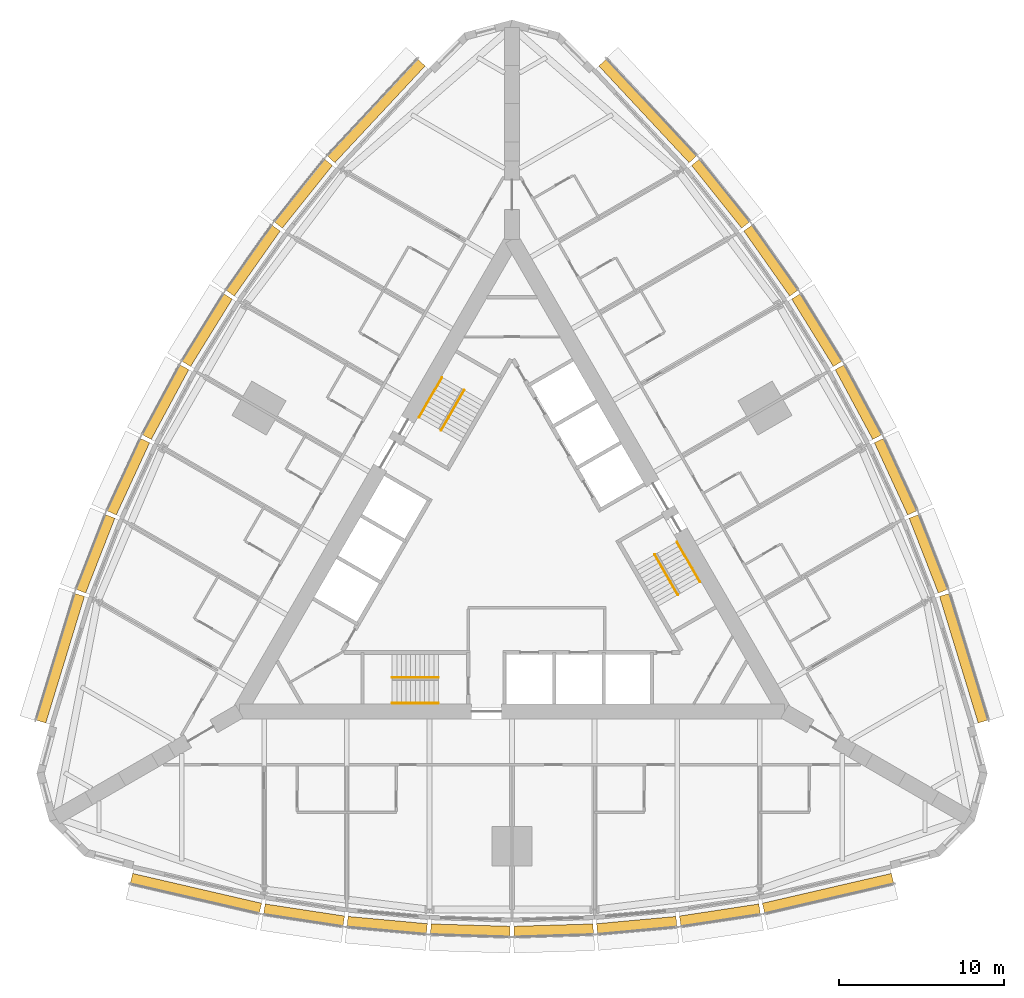
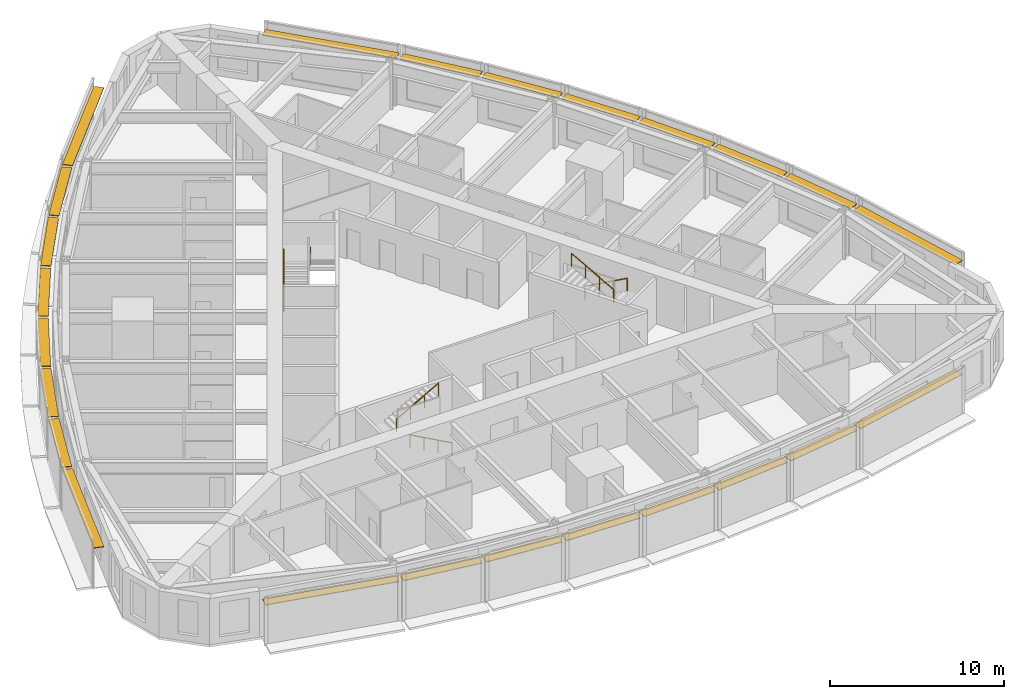
# One storey, part 14 of 14: 24 shading devices, 6 railings.
"""IFC4 building model written with IfcOpenShell, lengths in metres."""

from ifc_helpers import new_model, si_unit, direction, frame, origin, origin_2d, place, context, subcontext, project, spatial, rectangle, circle, extrude, material, type_object, element, save


model = new_model("IFC4")

# Units and contexts
model_context = context("Model", 3, precision=1e-05, world=origin(), true_north=direction((0.0, 1.0)))
body_context = subcontext(model_context, "Body", "Model", "MODEL_VIEW")
ifc_project = project(units=[si_unit("LENGTHUNIT", "METRE"), si_unit("AREAUNIT", "SQUARE_METRE"), si_unit("VOLUMEUNIT", "CUBIC_METRE"), si_unit("PLANEANGLEUNIT", "RADIAN"), si_unit("MASSUNIT", "GRAM", prefix="KILO")], contexts=[model_context])

# Site, building, storey
site_placement = place(None, origin())
site = spatial("IfcSite", under=ifc_project, at=site_placement, CompositionType="ELEMENT")
building_placement = place(site_placement, origin())
building = spatial("IfcBuilding", under=site, at=building_placement, Name="Trikona Tower", CompositionType="ELEMENT")
storey_placement = place(building_placement, frame((0.0, 0.0, 48.89990234375)))
storey = spatial("IfcBuildingStorey", under=building, at=storey_placement, Name="L11", CompositionType="ELEMENT", Elevation=48.89990234375)

# Shading devices
ifc_material_1 = material(Name="Aluminium louvre blade, pale anodised", Category="aluminium")
shading_device_type = type_object("IfcShadingDeviceType", Name="Cavity louvre 600", PredefinedType="USERDEFINED", material=ifc_material_1)
shading_device_1_placement = place(storey_placement, frame((-19.126220703125, -20.5234375, 2.77490234375), z_axis=(0.0, 0.0, 1.0), x_axis=(0.974277718622, -0.225350675607, 0.0)))
element("IfcShadingDevice", 1, at=shading_device_1_placement, inside=storey, type_object=shading_device_type, Name="Cavity louvre L11-00", ObjectType="LOUVRE", PredefinedType="USERDEFINED", context=body_context, shape_type="SweptSolid", body=[
    extrude(rectangle(XDim=8.01123046875, YDim=0.60009765625, at=origin_2d()), origin(), (0.0, 0.0, 1.0), 0.050048828125),
])
shading_device_2_placement = place(storey_placement, frame((-12.584228515625, -21.837158203125, 2.77490234375), z_axis=(0.0, 0.0, 1.0), x_axis=(0.988617896768, -0.150448177754, 0.0)))
element("IfcShadingDevice", 2, at=shading_device_2_placement, inside=storey, type_object=shading_device_type, Name="Cavity louvre L11-01", ObjectType="LOUVRE", PredefinedType="USERDEFINED", context=body_context, shape_type="SweptSolid", body=[
    extrude(rectangle(XDim=4.857666015625, YDim=0.60009765625, at=origin_2d()), origin(), (0.0, 0.0, 1.0), 0.050048828125),
])
shading_device_3_placement = place(storey_placement, frame((-7.55078125, -22.44970703125, 2.77490234375), z_axis=(0.0, 0.0, 1.0), x_axis=(0.995858098326, -0.090921108655, 0.0)))
element("IfcShadingDevice", 3, at=shading_device_3_placement, inside=storey, type_object=shading_device_type, Name="Cavity louvre L11-02", ObjectType="LOUVRE", PredefinedType="USERDEFINED", context=body_context, shape_type="SweptSolid", body=[
    extrude(rectangle(XDim=4.82080078125, YDim=0.60009765625, at=origin_2d()), origin(), (0.0, 0.0, 1.0), 0.050048828125),
])
for number, where, z_axis, x_axis, name in (
    (4, (-2.51708984375, -22.756103515625, 2.77490234375), (0.0, 0.0, 1.0), (0.999537048889, -0.030425119525, 0.0), "Cavity louvre L11-03"),
    (5, (2.51708984375, -22.756103515625, 2.77490234375), (0.0, 0.0, 1.0), (0.999537048889, 0.030425119525, 0.0), "Cavity louvre L11-04"),
):
    element("IfcShadingDevice", number, at=place(storey_placement, frame(where, z_axis=z_axis, x_axis=x_axis)), inside=storey, type_object=shading_device_type, Name=name, ObjectType="LOUVRE", PredefinedType="USERDEFINED", context=body_context, shape_type="SweptSolid", body=[
        extrude(rectangle(XDim=4.80224609375, YDim=0.60009765625, at=origin_2d()), origin(), (0.0, 0.0, 1.0), 0.050048828125),
    ])
shading_device_4_placement = place(storey_placement, frame((7.55078125, -22.44970703125, 2.77490234375), z_axis=(0.0, 0.0, 1.0), x_axis=(0.995858098326, 0.090921108655, 0.0)))
element("IfcShadingDevice", 6, at=shading_device_4_placement, inside=storey, type_object=shading_device_type, Name="Cavity louvre L11-05", ObjectType="LOUVRE", PredefinedType="USERDEFINED", context=body_context, shape_type="SweptSolid", body=[
    extrude(rectangle(XDim=4.82080078125, YDim=0.60009765625, at=origin_2d()), origin(), (0.0, 0.0, 1.0), 0.050048828125),
])
shading_device_5_placement = place(storey_placement, frame((12.584228515625, -21.837158203125, 2.77490234375), z_axis=(0.0, 0.0, 1.0), x_axis=(0.988617896768, 0.150448177754, 0.0)))
element("IfcShadingDevice", 7, at=shading_device_5_placement, inside=storey, type_object=shading_device_type, Name="Cavity louvre L11-06", ObjectType="LOUVRE", PredefinedType="USERDEFINED", context=body_context, shape_type="SweptSolid", body=[
    extrude(rectangle(XDim=4.857666015625, YDim=0.60009765625, at=origin_2d()), origin(), (0.0, 0.0, 1.0), 0.050048828125),
])
for number, where, z_axis, x_axis, name in (
    (8, (19.126220703125, -20.5234375, 2.77490234375), (0.0, 0.0, 1.0), (0.974277718622, 0.225350675607, 0.0), "Cavity louvre L11-07"),
    (9, (27.3369140625, -6.302001953125, 2.77490234375), (0.0, 0.0, 1.0), (-0.291979449475, 0.956424592471, 0.0), "Cavity louvre L11-12"),
):
    element("IfcShadingDevice", number, at=place(storey_placement, frame(where, z_axis=z_axis, x_axis=x_axis)), inside=storey, type_object=shading_device_type, Name=name, ObjectType="LOUVRE", PredefinedType="USERDEFINED", context=body_context, shape_type="SweptSolid", body=[
        extrude(rectangle(XDim=8.01123046875, YDim=0.60009765625, at=origin_2d()), origin(), (0.0, 0.0, 1.0), 0.050048828125),
    ])
shading_device_6_placement = place(storey_placement, frame((25.20361328125, 0.020263671875, 2.77490234375), z_axis=(0.0, 0.0, 1.0), x_axis=(-0.364008876551, 0.931395478726, 0.0)))
element("IfcShadingDevice", 10, at=shading_device_6_placement, inside=storey, type_object=shading_device_type, Name="Cavity louvre L11-13", ObjectType="LOUVRE", PredefinedType="USERDEFINED", context=body_context, shape_type="SweptSolid", body=[
    extrude(rectangle(XDim=4.857666015625, YDim=0.60009765625, at=origin_2d()), origin(), (0.0, 0.0, 1.0), 0.050048828125),
])
shading_device_7_placement = place(storey_placement, frame((23.217529296875, 4.685546875, 2.77490234375), z_axis=(0.0, 0.0, 1.0), x_axis=(-0.41919381307, 0.907896771161, 0.0)))
element("IfcShadingDevice", 11, at=shading_device_7_placement, inside=storey, type_object=shading_device_type, Name="Cavity louvre L11-14", ObjectType="LOUVRE", PredefinedType="USERDEFINED", context=body_context, shape_type="SweptSolid", body=[
    extrude(rectangle(XDim=4.82080078125, YDim=0.60009765625, at=origin_2d()), origin(), (0.0, 0.0, 1.0), 0.050048828125),
])
for number, where, z_axis, x_axis, name in (
    (12, (20.966064453125, 9.1982421875, 2.77490234375), (0.0, 0.0, 1.0), (-0.473422672721, 0.880835383572, 0.0), "Cavity louvre L11-15"),
    (13, (18.448974609375, 13.557861328125, 2.77490234375), (0.0, 0.0, 1.0), (-0.526118935114, 0.85041099835, 0.0), "Cavity louvre L11-16"),
):
    element("IfcShadingDevice", number, at=place(storey_placement, frame(where, z_axis=z_axis, x_axis=x_axis)), inside=storey, type_object=shading_device_type, Name=name, ObjectType="LOUVRE", PredefinedType="USERDEFINED", context=body_context, shape_type="SweptSolid", body=[
        extrude(rectangle(XDim=4.80224609375, YDim=0.60009765625, at=origin_2d()), origin(), (0.0, 0.0, 1.0), 0.050048828125),
    ])
shading_device_8_placement = place(storey_placement, frame((15.666748046875, 17.76416015625, 2.77490234375), z_axis=(0.0, 0.0, 1.0), x_axis=(-0.576661909499, 0.816982889743, 0.0)))
element("IfcShadingDevice", 14, at=shading_device_8_placement, inside=storey, type_object=shading_device_type, Name="Cavity louvre L11-17", ObjectType="LOUVRE", PredefinedType="USERDEFINED", context=body_context, shape_type="SweptSolid", body=[
    extrude(rectangle(XDim=4.82080078125, YDim=0.60009765625, at=origin_2d()), origin(), (0.0, 0.0, 1.0), 0.050048828125),
])
shading_device_9_placement = place(storey_placement, frame((12.619384765625, 21.81689453125, 2.77490234375), z_axis=(0.0, 0.0, 1.0), x_axis=(-0.624603618277, 0.780941944087, 0.0)))
element("IfcShadingDevice", 15, at=shading_device_9_placement, inside=storey, type_object=shading_device_type, Name="Cavity louvre L11-18", ObjectType="LOUVRE", PredefinedType="USERDEFINED", context=body_context, shape_type="SweptSolid", body=[
    extrude(rectangle(XDim=4.857666015625, YDim=0.60009765625, at=origin_2d()), origin(), (0.0, 0.0, 1.0), 0.050048828125),
])
for number, where, z_axis, x_axis, name in (
    (16, (8.210693359375, 26.825439453125, 2.77490234375), (0.0, 0.0, 1.0), (-0.682298269147, 0.731073916864, 0.0), "Cavity louvre L11-19"),
    (17, (-8.210693359375, 26.825439453125, 2.77490234375), (0.0, 0.0, 1.0), (-0.682298269147, -0.731073916864, 0.0), "Cavity louvre L11-24"),
):
    element("IfcShadingDevice", number, at=place(storey_placement, frame(where, z_axis=z_axis, x_axis=x_axis)), inside=storey, type_object=shading_device_type, Name=name, ObjectType="LOUVRE", PredefinedType="USERDEFINED", context=body_context, shape_type="SweptSolid", body=[
        extrude(rectangle(XDim=8.01123046875, YDim=0.60009765625, at=origin_2d()), origin(), (0.0, 0.0, 1.0), 0.050048828125),
    ])
shading_device_10_placement = place(storey_placement, frame((-12.619384765625, 21.81689453125, 2.77490234375), z_axis=(0.0, 0.0, 1.0), x_axis=(-0.624603618277, -0.780941944087, 0.0)))
element("IfcShadingDevice", 18, at=shading_device_10_placement, inside=storey, type_object=shading_device_type, Name="Cavity louvre L11-25", ObjectType="LOUVRE", PredefinedType="USERDEFINED", context=body_context, shape_type="SweptSolid", body=[
    extrude(rectangle(XDim=4.857666015625, YDim=0.60009765625, at=origin_2d()), origin(), (0.0, 0.0, 1.0), 0.050048828125),
])
shading_device_11_placement = place(storey_placement, frame((-15.666748046875, 17.76416015625, 2.77490234375), z_axis=(0.0, 0.0, 1.0), x_axis=(-0.576661909499, -0.816982889743, 0.0)))
element("IfcShadingDevice", 19, at=shading_device_11_placement, inside=storey, type_object=shading_device_type, Name="Cavity louvre L11-26", ObjectType="LOUVRE", PredefinedType="USERDEFINED", context=body_context, shape_type="SweptSolid", body=[
    extrude(rectangle(XDim=4.82080078125, YDim=0.60009765625, at=origin_2d()), origin(), (0.0, 0.0, 1.0), 0.050048828125),
])
for number, where, z_axis, x_axis, name in (
    (20, (-18.448974609375, 13.557861328125, 2.77490234375), (0.0, 0.0, 1.0), (-0.526118935114, -0.85041099835, 0.0), "Cavity louvre L11-27"),
    (21, (-20.966064453125, 9.1982421875, 2.77490234375), (0.0, 0.0, 1.0), (-0.473422672721, -0.880835383572, 0.0), "Cavity louvre L11-28"),
):
    element("IfcShadingDevice", number, at=place(storey_placement, frame(where, z_axis=z_axis, x_axis=x_axis)), inside=storey, type_object=shading_device_type, Name=name, ObjectType="LOUVRE", PredefinedType="USERDEFINED", context=body_context, shape_type="SweptSolid", body=[
        extrude(rectangle(XDim=4.80224609375, YDim=0.60009765625, at=origin_2d()), origin(), (0.0, 0.0, 1.0), 0.050048828125),
    ])
shading_device_12_placement = place(storey_placement, frame((-23.217529296875, 4.685546875, 2.77490234375), z_axis=(0.0, 0.0, 1.0), x_axis=(-0.41919381307, -0.907896771161, 0.0)))
element("IfcShadingDevice", 22, at=shading_device_12_placement, inside=storey, type_object=shading_device_type, Name="Cavity louvre L11-29", ObjectType="LOUVRE", PredefinedType="USERDEFINED", context=body_context, shape_type="SweptSolid", body=[
    extrude(rectangle(XDim=4.82080078125, YDim=0.60009765625, at=origin_2d()), origin(), (0.0, 0.0, 1.0), 0.050048828125),
])
shading_device_13_placement = place(storey_placement, frame((-25.20361328125, 0.020263671875, 2.77490234375), z_axis=(0.0, 0.0, 1.0), x_axis=(-0.364008876551, -0.931395478726, 0.0)))
element("IfcShadingDevice", 23, at=shading_device_13_placement, inside=storey, type_object=shading_device_type, Name="Cavity louvre L11-30", ObjectType="LOUVRE", PredefinedType="USERDEFINED", context=body_context, shape_type="SweptSolid", body=[
    extrude(rectangle(XDim=4.857666015625, YDim=0.60009765625, at=origin_2d()), origin(), (0.0, 0.0, 1.0), 0.050048828125),
])
shading_device_14_placement = place(storey_placement, frame((-27.3369140625, -6.302001953125, 2.77490234375), z_axis=(0.0, 0.0, 1.0), x_axis=(-0.291979449475, -0.956424592471, 0.0)))
element("IfcShadingDevice", 24, at=shading_device_14_placement, inside=storey, type_object=shading_device_type, Name="Cavity louvre L11-31", ObjectType="LOUVRE", PredefinedType="USERDEFINED", context=body_context, shape_type="SweptSolid", body=[
    extrude(rectangle(XDim=8.01123046875, YDim=0.60009765625, at=origin_2d()), origin(), (0.0, 0.0, 1.0), 0.050048828125),
])

# Railings
ifc_material_2 = material(Name="Stainless steel handrail", Category="steel")
railing_type = type_object("IfcRailingType", Name="Stair handrail", PredefinedType="HANDRAIL", material=ifc_material_2)
railing_1_placement = place(storey_placement, frame((-4.449951171875, -9.016357421875, 0.154541015625)))
element("IfcRailing", 25, at=railing_1_placement, inside=storey, type_object=railing_type, Name="Stair handrail A L11 1", PredefinedType="HANDRAIL", context=body_context, shape_type="SweptSolid", body=[
    extrude(circle(Radius=0.02392578125, at=origin_2d()), frame((0.0, 0.0, 0.8759765625), z_axis=(-0.875471895205, 0.0, 0.483269035534), x_axis=(0.0, -1.0, 0.0)), (0.0, 0.0, 1.0), 3.1982421875),
    extrude(circle(Radius=0.02099609375, at=origin_2d()), origin(), (0.0, 0.0, 1.0), 0.851806640625),
    extrude(circle(Radius=0.02099609375, at=origin_2d()), frame((-0.933349609375, 0.0, 0.51513671875)), (0.0, 0.0, 1.0), 0.851806640625),
    extrude(circle(Radius=0.02099609375, at=origin_2d()), frame((-1.86669921875, 0.0, 1.030517578125)), (0.0, 0.0, 1.0), 0.851806640625),
    extrude(circle(Radius=0.02099609375, at=origin_2d()), frame((-2.800048828125, 0.0, 1.545654296875)), (0.0, 0.0, 1.0), 0.851806640625),
])
railing_2_placement = place(storey_placement, frame((-7.25, -7.46630859375, 1.8544921875)))
element("IfcRailing", 26, at=railing_2_placement, inside=storey, type_object=railing_type, Name="Stair handrail A L11 2", PredefinedType="HANDRAIL", context=body_context, shape_type="SweptSolid", body=[
    extrude(circle(Radius=0.02392578125, at=origin_2d()), frame((0.0, 0.0, 0.8759765625), z_axis=(0.875471895205, 0.0, 0.483269035534), x_axis=(0.0, 1.0, 0.0)), (0.0, 0.0, 1.0), 3.1982421875),
    extrude(circle(Radius=0.02099609375, at=origin_2d()), origin(), (0.0, 0.0, 1.0), 0.851806640625),
    extrude(circle(Radius=0.02099609375, at=origin_2d()), frame((0.933349609375, 0.0, 0.51513671875)), (0.0, 0.0, 1.0), 0.851806640625),
    extrude(circle(Radius=0.02099609375, at=origin_2d()), frame((1.86669921875, 0.0, 1.030517578125)), (0.0, 0.0, 1.0), 0.851806640625),
    extrude(circle(Radius=0.02099609375, at=origin_2d()), frame((2.800048828125, 0.0, 1.545654296875)), (0.0, 0.0, 1.0), 0.851806640625),
])
railing_3_placement = place(storey_placement, frame((9.9833984375, 0.740966796875, 0.154541015625)))
element("IfcRailing", 27, at=railing_3_placement, inside=storey, type_object=railing_type, Name="Stair handrail B L11 1", PredefinedType="HANDRAIL", context=body_context, shape_type="SweptSolid", body=[
    extrude(circle(Radius=0.02392578125, at=origin_2d()), frame((0.0, 0.0, 0.8759765625), z_axis=(0.437691042731, -0.758211567396, 0.483261596012), x_axis=(0.866056369097, 0.49994636267, 0.0)), (0.0, 0.0, 1.0), 3.198486328125),
    extrude(circle(Radius=0.02099609375, at=origin_2d()), origin(), (0.0, 0.0, 1.0), 0.851806640625),
    extrude(circle(Radius=0.02099609375, at=origin_2d()), frame((0.466552734375, -0.808349609375, 0.51513671875)), (0.0, 0.0, 1.0), 0.851806640625),
    extrude(circle(Radius=0.02099609375, at=origin_2d()), frame((0.933349609375, -1.61669921875, 1.030517578125)), (0.0, 0.0, 1.0), 0.851806640625),
    extrude(circle(Radius=0.02099609375, at=origin_2d()), frame((1.39990234375, -2.425048828125, 1.545654296875)), (0.0, 0.0, 1.0), 0.851806640625),
])
railing_4_placement = place(storey_placement, frame((10.041015625, -2.458984375, 1.8544921875)))
element("IfcRailing", 28, at=railing_4_placement, inside=storey, type_object=railing_type, Name="Stair handrail B L11 2", PredefinedType="HANDRAIL", context=body_context, shape_type="SweptSolid", body=[
    extrude(circle(Radius=0.02392578125, at=origin_2d()), frame((0.0, 0.0, 0.8759765625), z_axis=(-0.437691042731, 0.758211567396, 0.483261596012), x_axis=(-0.866056369097, -0.49994636267, 0.0)), (0.0, 0.0, 1.0), 3.198486328125),
    extrude(circle(Radius=0.02099609375, at=origin_2d()), origin(), (0.0, 0.0, 1.0), 0.851806640625),
    extrude(circle(Radius=0.02099609375, at=origin_2d()), frame((-0.466552734375, 0.808349609375, 0.51513671875)), (0.0, 0.0, 1.0), 0.851806640625),
    extrude(circle(Radius=0.02099609375, at=origin_2d()), frame((-0.933349609375, 1.61669921875, 1.030517578125)), (0.0, 0.0, 1.0), 0.851806640625),
    extrude(circle(Radius=0.02099609375, at=origin_2d()), frame((-1.39990234375, 2.425048828125, 1.545654296875)), (0.0, 0.0, 1.0), 0.851806640625),
])
railing_5_placement = place(storey_placement, frame((-5.63330078125, 8.275390625, 0.154541015625)))
element("IfcRailing", 29, at=railing_5_placement, inside=storey, type_object=railing_type, Name="Stair handrail C L11 1", PredefinedType="HANDRAIL", context=body_context, shape_type="SweptSolid", body=[
    extrude(circle(Radius=0.02392578125, at=origin_2d()), frame((0.0, 0.0, 0.8759765625), z_axis=(0.437716375571, 0.758179114435, 0.4832895664), x_axis=(-0.866034573852, 0.49998411664, 0.0)), (0.0, 0.0, 1.0), 3.1982421875),
    extrude(circle(Radius=0.02099609375, at=origin_2d()), origin(), (0.0, 0.0, 1.0), 0.851806640625),
    extrude(circle(Radius=0.02099609375, at=origin_2d()), frame((0.466552734375, 0.808349609375, 0.51513671875)), (0.0, 0.0, 1.0), 0.851806640625),
    extrude(circle(Radius=0.02099609375, at=origin_2d()), frame((0.933349609375, 1.616455078125, 1.030517578125)), (0.0, 0.0, 1.0), 0.851806640625),
    extrude(circle(Radius=0.02099609375, at=origin_2d()), frame((1.39990234375, 2.4248046875, 1.545654296875)), (0.0, 0.0, 1.0), 0.851806640625),
])
railing_6_placement = place(storey_placement, frame((-2.89111328125, 9.92529296875, 1.8544921875)))
element("IfcRailing", 30, at=railing_6_placement, inside=storey, type_object=railing_type, Name="Stair handrail C L11 2", PredefinedType="HANDRAIL", context=body_context, shape_type="SweptSolid", body=[
    extrude(circle(Radius=0.02392578125, at=origin_2d()), frame((0.0, 0.0, 0.8759765625), z_axis=(-0.437691042731, -0.758211567396, 0.483261596012), x_axis=(0.866056369097, -0.49994636267, 0.0)), (0.0, 0.0, 1.0), 3.198486328125),
    extrude(circle(Radius=0.02099609375, at=origin_2d()), origin(), (0.0, 0.0, 1.0), 0.851806640625),
    extrude(circle(Radius=0.02099609375, at=origin_2d()), frame((-0.466552734375, -0.808349609375, 0.51513671875)), (0.0, 0.0, 1.0), 0.851806640625),
    extrude(circle(Radius=0.02099609375, at=origin_2d()), frame((-0.933349609375, -1.61669921875, 1.030517578125)), (0.0, 0.0, 1.0), 0.851806640625),
    extrude(circle(Radius=0.02099609375, at=origin_2d()), frame((-1.39990234375, -2.425048828125, 1.545654296875)), (0.0, 0.0, 1.0), 0.851806640625),
])

save(model, "model.ifc")
